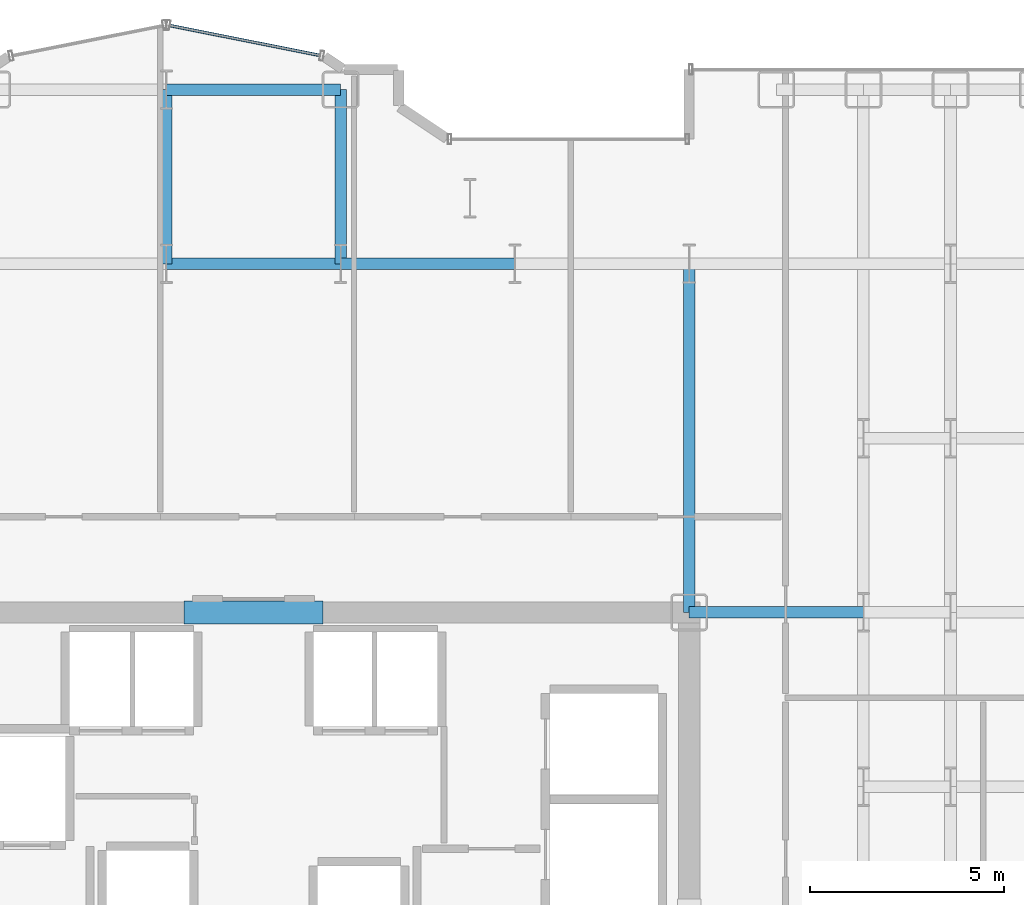
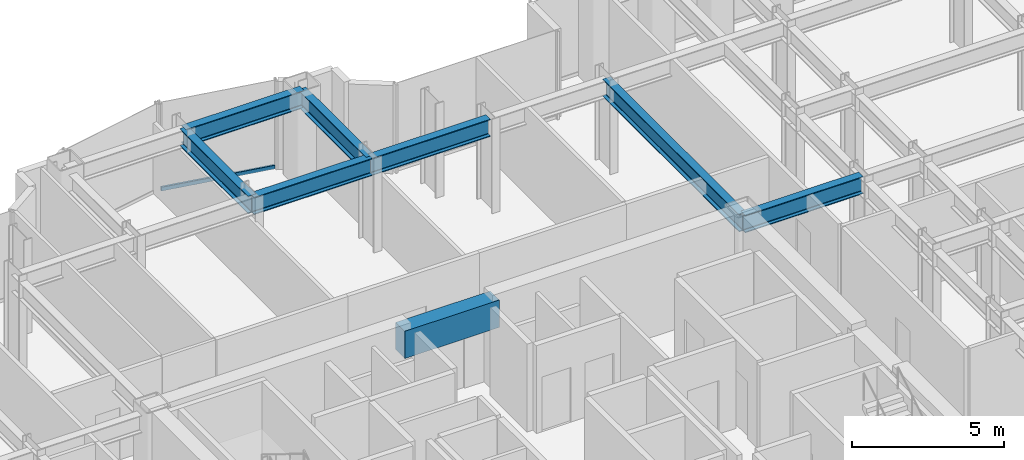
# One storey, part 11 of 25: 8 beams, 1 member, 1 element without a shape of its own.
"""IFC4 building model written with IfcOpenShell, lengths in metres."""

from ifc_helpers import new_model, si_unit, direction, frame, origin, origin_2d, place, context, subcontext, project, spatial, rectangle, hollow_rectangle, i_section, extrude, source, transform, mapped, material, layer, layer_set, material_profile, profile_set, type_object, element, aggregate, save


model = new_model("IFC4")

# Units and contexts
model_context = context("Model", 3, precision=1e-05, world=origin(), true_north=direction((0.0, 1.0)))
body_context = subcontext(model_context, "Body", "Model", "MODEL_VIEW")
ifc_project = project(units=[si_unit("LENGTHUNIT", "METRE"), si_unit("AREAUNIT", "SQUARE_METRE"), si_unit("VOLUMEUNIT", "CUBIC_METRE"), si_unit("PLANEANGLEUNIT", "RADIAN"), si_unit("MASSUNIT", "GRAM", prefix="KILO")], contexts=[model_context])

# Site, building, storey
site_placement = place(None, origin())
site = spatial("IfcSite", under=ifc_project, at=site_placement, CompositionType="ELEMENT")
building_placement = place(site_placement, origin())
building = spatial("IfcBuilding", under=site, at=building_placement, Name="Nefas-Gora Pilgrimage Tower", CompositionType="ELEMENT")
storey_placement = place(building_placement, frame((0.0, 0.0, 98.39990234375)))
storey = spatial("IfcBuildingStorey", under=building, at=storey_placement, Name="L23", CompositionType="ELEMENT", Elevation=98.39990234375)

# Beams
ifc_material_1 = material(Name="Concrete C60/75", Category="concrete")
ifc_material_profile_1 = material_profile(ifc_material_1, rectangle(XDim=0.60009765625, YDim=1.10009765625, at=origin_2d()), Name="RC 600x1100")
ifc_profile_set_1 = profile_set([ifc_material_profile_1], Name="Concrete C60/75")
beam_type_1 = type_object("IfcBeamType", Name="BM-LIN-RC1100", PredefinedType="LINTEL", material=ifc_profile_set_1)
shared_shape_1 = source(origin(), body_context, "Body", "SweptSolid", [
    extrude(rectangle(XDim=0.60009765625, YDim=1.10009765625, at=origin_2d()), origin(), (0.0, 0.0, 1.0), 3.60009765625),
])
beam_1_placement = place(storey_placement, frame((-1.800048828125, 9.0, 3.0), z_axis=(1.0, 0.0, 0.0), x_axis=(0.0, 1.0, 0.0)))
element("IfcBeam", 1, at=beam_1_placement, inside=storey, type_object=beam_type_1, Name="L23 Core Coupling Lintel Beam N", PredefinedType="LINTEL", context=body_context, shape_type="MappedRepresentation", body=[
    mapped(shared_shape_1, transform((0.0, 0.0, 0.0), x_axis=(1.0, 0.0, 0.0), y_axis=(0.0, 1.0, 0.0), z_axis=(0.0, 0.0, 1.0), scale=1.0)),
])
ifc_material_2 = material(Name="Steel S355", Category="steel")
ifc_material_profile_2 = material_profile(ifc_material_2, i_section(OverallWidth=0.300048828125, OverallDepth=0.699951171875, WebThickness=0.01708984375, FlangeThickness=0.031982421875, FilletRadius=0.027099609375, at=origin_2d()), Name="HEB 700")
ifc_profile_set_2 = profile_set([ifc_material_profile_2], Name="Steel S355")
beam_type_2 = type_object("IfcBeamType", Name="BM-GIR-HEB700", PredefinedType="BEAM", material=ifc_profile_set_2)
shared_shape_2 = source(origin(), body_context, "Body", "SweptSolid", [
    extrude(i_section(OverallWidth=0.300048828125, OverallDepth=0.699951171875, WebThickness=0.01708984375, FlangeThickness=0.031982421875, FilletRadius=0.027099609375, at=origin_2d()), origin(), (0.0, 0.0, 1.0), 9.0),
])
beam_2_placement = place(storey_placement, frame((11.25, 9.0, 3.2001953125), z_axis=(0.0, 1.0, 0.0), x_axis=(-1.0, 0.0, 0.0)))
element("IfcBeam", 2, at=beam_2_placement, inside=storey, type_object=beam_type_2, Name="L23 G-02 beam", PredefinedType="BEAM", context=body_context, shape_type="MappedRepresentation", body=[
    mapped(shared_shape_2, transform((0.0, 0.0, 0.0), x_axis=(1.0, 0.0, 0.0), y_axis=(0.0, 1.0, 0.0), z_axis=(0.0, 0.0, 1.0), scale=1.0)),
])
shared_shape_3 = source(origin(), body_context, "Body", "SweptSolid", [
    extrude(i_section(OverallWidth=0.300048828125, OverallDepth=0.699951171875, WebThickness=0.01708984375, FlangeThickness=0.031982421875, FilletRadius=0.027099609375, at=origin_2d()), origin(), (0.0, 0.0, 1.0), 4.5),
])
for number, where, z_axis, x_axis, name in (
    (3, (-2.25, 18.0, 3.2001953125), (0.0, 1.0, 0.0), (-1.0, 0.0, 0.0), "L23 G-02 beam"),
    (4, (-2.25, 18.0, 3.2001953125), (1.0, 0.0, 0.0), (0.0, 1.0, 0.0), "L23 G-02 beam"),
    (5, (-2.25, 22.5, 3.2001953125), (1.0, 0.0, 0.0), (0.0, 1.0, 0.0), "L23 G-02 beam"),
    (6, (2.25, 18.0, 3.2001953125), (0.0, 1.0, 0.0), (-1.0, 0.0, 0.0), "L23 G-02 beam"),
    (7, (2.25, 18.0, 3.2001953125), (1.0, 0.0, 0.0), (0.0, 1.0, 0.0), "L23 G-02 beam"),
    (8, (11.25, 9.0, 3.2001953125), (1.0, 0.0, 0.0), (0.0, 1.0, 0.0), "L23 G-02 beam"),
):
    element("IfcBeam", number, at=place(storey_placement, frame(where, z_axis=z_axis, x_axis=x_axis)), inside=storey, type_object=beam_type_2, Name=name, PredefinedType="BEAM", context=body_context, shape_type="MappedRepresentation", body=[
        mapped(shared_shape_3, transform((0.0, 0.0, 0.0), x_axis=(1.0, 0.0, 0.0), y_axis=(0.0, 1.0, 0.0), z_axis=(0.0, 0.0, 1.0), scale=1.0)),
    ])

# Curtain wall, member
ifc_material_3 = material(Name="Dark ceramic-fritted solar-control aluminium-glass curtain wall", Category="aluminium")
ifc_layer = layer(ifc_material_3, 0.219970703125)
ifc_layer_set = layer_set([ifc_layer], Name="Dark ceramic-fritted solar-control aluminium-glass curtain wall")
curtain_wall_type = type_object("IfcCurtainWallType", Name="CW-SYS-5", PredefinedType="NOTDEFINED", material=ifc_layer_set)
curtain_wall_placement = place(storey_placement, origin())
curtain_wall = element("IfcCurtainWall", 9, at=curtain_wall_placement, inside=storey, type_object=curtain_wall_type, Name="L23 Unitised Curtain Wall CW5", PredefinedType="NOTDEFINED")
ifc_material_4 = material(Name="Anodised architectural aluminium", Category="aluminium")
ifc_material_profile_3 = material_profile(ifc_material_4, hollow_rectangle(XDim=0.080078125, YDim=0.159912109375, WallThickness=0.00439453125, InnerFilletRadius=0.00439453125, OuterFilletRadius=0.009033203125, at=origin_2d()), Name="ALU TRANSOM 80x160")
ifc_profile_set_3 = profile_set([ifc_material_profile_3], Name="Anodised architectural aluminium")
member_type = type_object("IfcMemberType", Name="CWM-TRN-5", PredefinedType="USERDEFINED", material=ifc_profile_set_3)
shared_shape_4 = source(origin(), body_context, "Body", "SweptSolid", [
    extrude(hollow_rectangle(XDim=0.080078125, YDim=0.159912109375, WallThickness=0.00439453125, InnerFilletRadius=0.00439453125, OuterFilletRadius=0.009033203125, at=origin_2d()), origin(), (0.0, 0.0, 1.0), 3.95654296875),
])
member_placement = place(storey_placement, frame((1.718994140625, 23.3828125, 0.050048828125), z_axis=(-0.980781880918, 0.195107411605, 0.0), x_axis=(-0.195107411605, -0.980781880918, 0.0)))
member = element("IfcMember", 10, at=member_placement, type_object=member_type, Name="CW5 Spandrel Transom", ObjectType="TRANSOM", PredefinedType="USERDEFINED", context=body_context, shape_type="MappedRepresentation", body=[
    mapped(shared_shape_4, transform((0.0, 0.0, 0.0), x_axis=(1.0, 0.0, 0.0), y_axis=(0.0, 1.0, 0.0), z_axis=(0.0, 0.0, 1.0), scale=1.0)),
])
aggregate(curtain_wall, [member])

save(model, "model.ifc")
